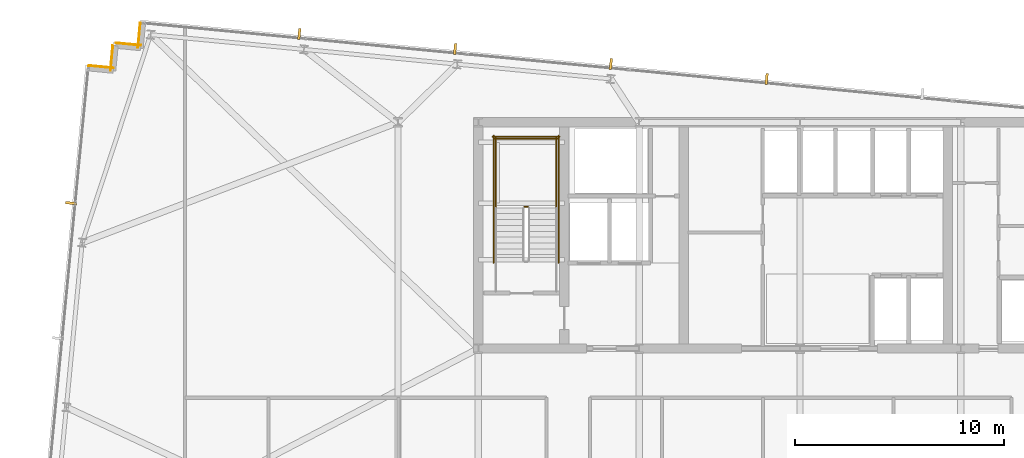
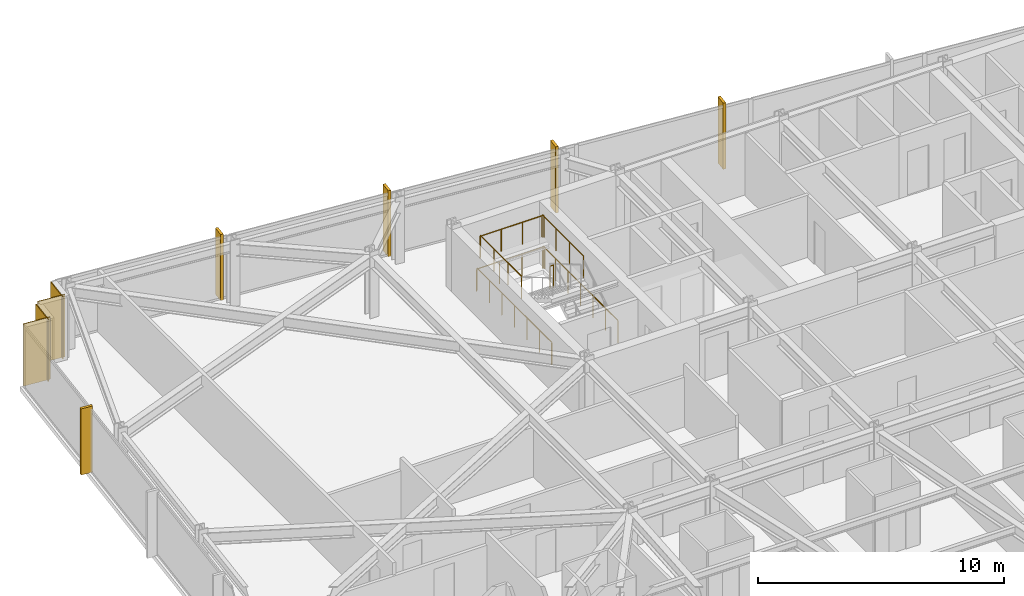
# One storey, part 37 of 38: 7 railings, 5 shading devices, 4 coverings.
"""IFC4 building model written with IfcOpenShell, lengths in metres."""

from ifc_helpers import new_model, si_unit, direction, frame, frame_2d, origin, origin_2d, place, context, subcontext, project, spatial, rectangle, circle, extrude, material, layer, layer_set, type_object, element, save


model = new_model("IFC4")

# Units and contexts
model_context = context("Model", 3, precision=1e-05, world=origin(), true_north=direction((0.0, 1.0)))
body_context = subcontext(model_context, "Body", "Model", "MODEL_VIEW")
ifc_project = project(units=[si_unit("LENGTHUNIT", "METRE"), si_unit("AREAUNIT", "SQUARE_METRE"), si_unit("VOLUMEUNIT", "CUBIC_METRE"), si_unit("PLANEANGLEUNIT", "RADIAN"), si_unit("MASSUNIT", "GRAM", prefix="KILO")], contexts=[model_context])

# Site, building, storey
site_placement = place(None, origin())
site = spatial("IfcSite", under=ifc_project, at=site_placement, CompositionType="ELEMENT")
building_placement = place(site_placement, origin())
building = spatial("IfcBuilding", under=site, at=building_placement, Name="Yelkora Congress Tower", CompositionType="ELEMENT")
storey_placement = place(building_placement, frame((0.0, 0.0, 172.10009765625)))
storey = spatial("IfcBuildingStorey", under=building, at=storey_placement, Name="L47", CompositionType="ELEMENT", Elevation=172.10009765625)

# Coverings
ifc_material_1 = material(Name="Anatolian bush-hammered limestone", Category="masonry")
ifc_layer_1 = layer(ifc_material_1, 0.0400390625)
ifc_layer_set_1 = layer_set([ifc_layer_1], Name="Anatolian bush-hammered limestone")
covering_type = type_object("IfcCoveringType", Name="COV-CLAD-SPANDREL-40", PredefinedType="CLADDING", material=ifc_layer_set_1)
for number, where, z_axis, x_axis, name in (
    (1, (4.423583984375, 48.9130859375, 0.0), (0.0, 0.0, 1.0), (0.995398960025, -0.095817067274, 0.0), "L47 Anatolian Limestone Cladding EW-L47-SR06"),
    (2, (5.470703125, 48.676513671875, 0.0), (0.0, 0.0, 1.0), (0.095817067274, 0.995398960025, 0.0), "L47 Anatolian Limestone Cladding EW-L47-SR07"),
):
    element("IfcCovering", number, at=place(storey_placement, frame(where, z_axis=z_axis, x_axis=x_axis)), inside=storey, type_object=covering_type, Name=name, PredefinedType="CLADDING", context=body_context, shape_type="SweptSolid", body=[
        extrude(rectangle(XDim=1.2001953125, YDim=0.0400390625, at=frame_2d((0.60009765625, 0.0))), origin(), (0.0, 0.0, 1.0), 3.079833984375),
    ])
covering_1_placement = place(storey_placement, frame((5.733154296875, 49.992431640625, 0.0), z_axis=(0.0, 0.0, 1.0), x_axis=(0.995397091755, -0.095836473879, 0.0)))
element("IfcCovering", 3, at=covering_1_placement, inside=storey, type_object=covering_type, Name="L47 Anatolian Limestone Cladding EW-L47-SR08", PredefinedType="CLADDING", context=body_context, shape_type="SweptSolid", body=[
    extrude(rectangle(XDim=1.199951171875, YDim=0.0400390625, at=frame_2d((0.60009765625, 0.0))), origin(), (0.0, 0.0, 1.0), 3.079833984375),
])
covering_2_placement = place(storey_placement, frame((6.780029296875, 49.756103515625, 0.0), z_axis=(0.0, 0.0, 1.0), x_axis=(0.096018626938, 0.995379537303, 0.0)))
element("IfcCovering", 4, at=covering_2_placement, inside=storey, type_object=covering_type, Name="L47 Anatolian Limestone Cladding EW-L47-SR09", PredefinedType="CLADDING", context=body_context, shape_type="SweptSolid", body=[
    extrude(rectangle(XDim=1.2001953125, YDim=0.0400390625, at=frame_2d((0.60009765625, 0.0))), origin(), (0.0, 0.0, 1.0), 3.079833984375),
])

# Railings
ifc_material_2 = material(Name="Painted galvanised steel stair well guard with vertical infill", Category="steel")
ifc_layer_2 = layer(ifc_material_2, 0.06005859375)
ifc_layer_set_2 = layer_set([ifc_layer_2], Name="Painted galvanised steel stair well guard with vertical infill")
railing_type = type_object("IfcRailingType", Name="RAIL-STAIR-GUARD-1120", PredefinedType="GUARDRAIL", material=ifc_layer_set_2)
railing_1_placement = place(storey_placement, frame((25.39990234375, 42.169921875, 1.64990234375)))
element("IfcRailing", 5, at=railing_1_placement, inside=storey, type_object=railing_type, Name="ST-01 L47 Stair Well Guardrail 2", PredefinedType="GUARDRAIL", context=body_context, shape_type="SweptSolid", body=[
    extrude(circle(Radius=0.02392578125, at=origin_2d()), frame((0.0, 0.0, 1.09619140625), z_axis=(-1.0, 0.0, 0.0), x_axis=(0.0, -1.0, 0.0)), (0.0, 0.0, 1.0), 0.159912109375),
    extrude(circle(Radius=0.02099609375, at=origin_2d()), origin(), (0.0, 0.0, 1.0), 1.072021484375),
    extrude(circle(Radius=0.02099609375, at=origin_2d()), frame((-0.159912109375, 0.0, 0.0)), (0.0, 0.0, 1.0), 1.072021484375),
])
for number, where, name in (
    (6, (26.77001953125, 42.1201171875, 1.64990234375), "ST-01 L47 Stair Well Guardrail 3"),
    (7, (23.8701171875, 42.1201171875, 1.64990234375), "ST-01 L47 Stair Well Guardrail 4"),
):
    element("IfcRailing", number, at=place(storey_placement, frame(where)), inside=storey, type_object=railing_type, Name=name, PredefinedType="GUARDRAIL", context=body_context, shape_type="SweptSolid", body=[
        extrude(circle(Radius=0.02392578125, at=origin_2d()), frame((0.0, 0.0, 1.09619140625), z_axis=(0.0, 1.0, 0.0), x_axis=(-1.0, 0.0, 0.0)), (0.0, 0.0, 1.0), 3.349853515625),
        extrude(circle(Radius=0.02099609375, at=origin_2d()), origin(), (0.0, 0.0, 1.0), 1.072021484375),
        extrude(circle(Radius=0.02099609375, at=origin_2d()), frame((0.0, 1.11669921875, 0.0)), (0.0, 0.0, 1.0), 1.072021484375),
        extrude(circle(Radius=0.02099609375, at=origin_2d()), frame((0.0, 2.233154296875, 0.0)), (0.0, 0.0, 1.0), 1.072021484375),
        extrude(circle(Radius=0.02099609375, at=origin_2d()), frame((0.0, 3.349853515625, 0.0)), (0.0, 0.0, 1.0), 1.072021484375),
    ])
railing_2_placement = place(storey_placement, frame((26.820068359375, 45.419921875, 1.64990234375)))
element("IfcRailing", 8, at=railing_2_placement, inside=storey, type_object=railing_type, Name="ST-01 L47 Stair Well Guardrail 5", PredefinedType="GUARDRAIL", context=body_context, shape_type="SweptSolid", body=[
    extrude(circle(Radius=0.02392578125, at=origin_2d()), frame((0.0, 0.0, 1.09619140625), z_axis=(-1.0, 0.0, 0.0), x_axis=(0.0, -1.0, 0.0)), (0.0, 0.0, 1.0), 3.0),
    extrude(circle(Radius=0.02099609375, at=origin_2d()), origin(), (0.0, 0.0, 1.0), 1.072021484375),
    extrude(circle(Radius=0.02099609375, at=origin_2d()), frame((-1.0, 0.0, 0.0)), (0.0, 0.0, 1.0), 1.072021484375),
    extrude(circle(Radius=0.02099609375, at=origin_2d()), frame((-2.0, 0.0, 0.0)), (0.0, 0.0, 1.0), 1.072021484375),
    extrude(circle(Radius=0.02099609375, at=origin_2d()), frame((-3.0, 0.0, 0.0)), (0.0, 0.0, 1.0), 1.072021484375),
])
for number, where, name in (
    (9, (26.8701171875, 39.5, 0.0), "ST-01 L47 Stair Well Guardrail 10"),
    (10, (23.77001953125, 39.5, 0.0), "ST-01 L47 Stair Well Guardrail 11"),
):
    element("IfcRailing", number, at=place(storey_placement, frame(where)), inside=storey, type_object=railing_type, Name=name, PredefinedType="GUARDRAIL", context=body_context, shape_type="SweptSolid", body=[
        extrude(circle(Radius=0.02392578125, at=origin_2d()), frame((0.0, 0.0, 1.09619140625), z_axis=(0.0, 1.0, 0.0), x_axis=(-1.0, 0.0, 0.0)), (0.0, 0.0, 1.0), 6.070068359375),
        extrude(circle(Radius=0.02099609375, at=origin_2d()), origin(), (0.0, 0.0, 1.0), 1.072021484375),
        extrude(circle(Radius=0.02099609375, at=origin_2d()), frame((0.0, 1.01171875, 0.0)), (0.0, 0.0, 1.0), 1.072021484375),
        extrude(circle(Radius=0.02099609375, at=origin_2d()), frame((0.0, 2.0234375, 0.0)), (0.0, 0.0, 1.0), 1.072021484375),
        extrude(circle(Radius=0.02099609375, at=origin_2d()), frame((0.0, 3.03515625, 0.0)), (0.0, 0.0, 1.0), 1.072021484375),
        extrude(circle(Radius=0.02099609375, at=origin_2d()), frame((0.0, 4.046630859375, 0.0)), (0.0, 0.0, 1.0), 1.072021484375),
        extrude(circle(Radius=0.02099609375, at=origin_2d()), frame((0.0, 5.058349609375, 0.0)), (0.0, 0.0, 1.0), 1.072021484375),
        extrude(circle(Radius=0.02099609375, at=origin_2d()), frame((0.0, 6.070068359375, 0.0)), (0.0, 0.0, 1.0), 1.072021484375),
    ])
railing_3_placement = place(storey_placement, frame((26.919921875, 45.52001953125, 0.0)))
element("IfcRailing", 11, at=railing_3_placement, inside=storey, type_object=railing_type, Name="ST-01 L47 Stair Well Guardrail 12", PredefinedType="GUARDRAIL", context=body_context, shape_type="SweptSolid", body=[
    extrude(circle(Radius=0.02392578125, at=origin_2d()), frame((0.0, 0.0, 1.09619140625), z_axis=(-1.0, 0.0, 0.0), x_axis=(0.0, -1.0, 0.0)), (0.0, 0.0, 1.0), 3.199951171875),
    extrude(circle(Radius=0.02099609375, at=origin_2d()), origin(), (0.0, 0.0, 1.0), 1.072021484375),
    extrude(circle(Radius=0.02099609375, at=origin_2d()), frame((-1.066650390625, 0.0, 0.0)), (0.0, 0.0, 1.0), 1.072021484375),
    extrude(circle(Radius=0.02099609375, at=origin_2d()), frame((-2.13330078125, 0.0, 0.0)), (0.0, 0.0, 1.0), 1.072021484375),
    extrude(circle(Radius=0.02099609375, at=origin_2d()), frame((-3.199951171875, 0.0, 0.0)), (0.0, 0.0, 1.0), 1.072021484375),
])

# Shading devices
ifc_material_3 = material(Name="Champagne anodised aluminium", Category="aluminium")
ifc_layer_3 = layer(ifc_material_3, 3.300048828125)
ifc_layer_set_3 = layer_set([ifc_layer_3], Name="Champagne anodised aluminium")
shading_device_type = type_object("IfcShadingDeviceType", Name="SHD-FIN-ALU-520", PredefinedType="USERDEFINED", material=ifc_layer_set_3)
for number, where, z_axis, x_axis, name in (
    (12, (3.590087890625, 42.34375, -0.0302734375), (0.0, 0.0, 1.0), (0.09584575252, 0.995396198367, 0.0), "L47 Vertical Anodised Solar Fin 5-4"),
    (13, (14.48876953125, 50.42041015625, -0.0302734375), (0.0, 0.0, 1.0), (0.995396198367, -0.09584575252, 0.0), "L47 Vertical Anodised Solar Fin 10-1"),
    (14, (21.928466796875, 49.703857421875, -0.0302734375), (0.0, 0.0, 1.0), (0.995396198367, -0.09584575252, 0.0), "L47 Vertical Anodised Solar Fin 10-2"),
    (15, (29.368408203125, 48.987548828125, -0.0302734375), (0.0, 0.0, 1.0), (0.995396198367, -0.09584575252, 0.0), "L47 Vertical Anodised Solar Fin 10-3"),
    (16, (36.808349609375, 48.271240234375, -0.0302734375), (0.0, 0.0, 1.0), (0.995396198367, -0.09584575252, 0.0), "L47 Vertical Anodised Solar Fin 10-4"),
):
    element("IfcShadingDevice", number, at=place(storey_placement, frame(where, z_axis=z_axis, x_axis=x_axis)), inside=storey, type_object=shading_device_type, Name=name, ObjectType="FIN", PredefinedType="USERDEFINED", context=body_context, shape_type="SweptSolid", body=[
        extrude(rectangle(XDim=0.1201171875, YDim=0.52001953125, at=origin_2d()), origin(), (0.0, 0.0, 1.0), 3.280029296875),
    ])

save(model, "model.ifc")
